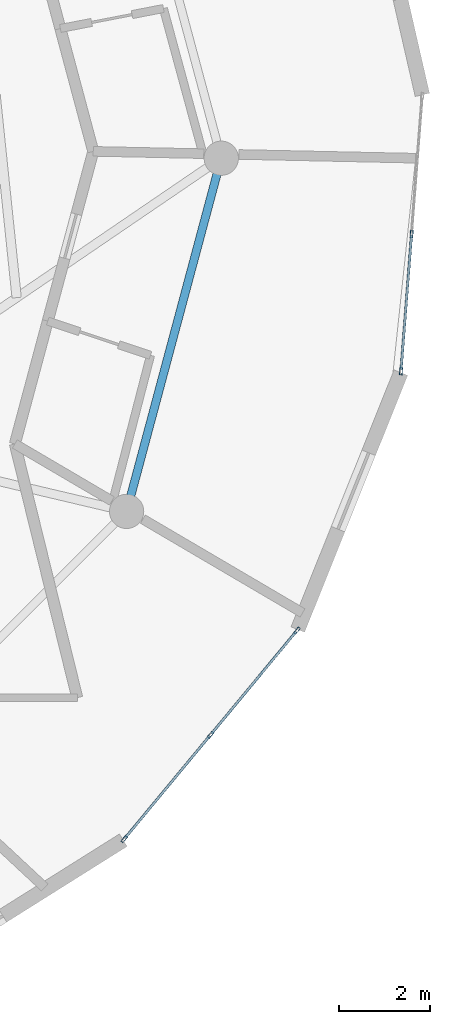
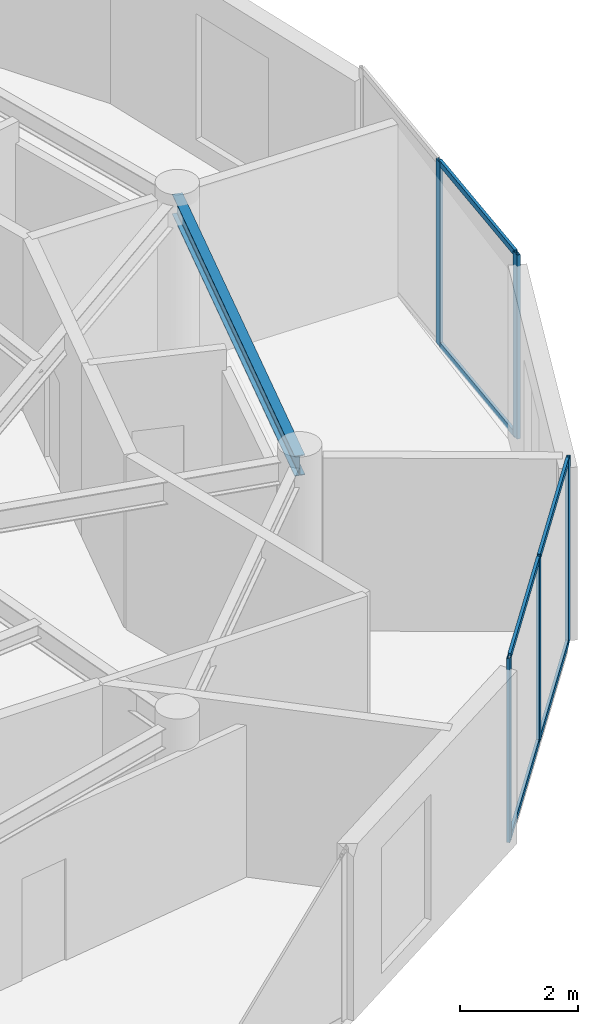
# One storey, part 8 of 19: 11 members, 1 beam, 2 elements without a shape of their own.
"""IFC4 building model written with IfcOpenShell, lengths in metres."""

import ifcopenshell
import ifcopenshell.guid

model = None  # the IFC model being written
_history = None  # IfcOwnerHistory: only IFC2X3 demands one
_inside = {}  # id of a spatial element -> (the spatial element, [elements in it])
_under = {}  # id of a project, library or spatial element -> (it, [spatial elements below it])
_declared = {}  # id of a project -> (the project, [libraries it declares])
_typed = {}  # id of a type object -> (the type object, [elements of that type])
_made_of = {}  # id of a material, layer set ... -> (it, [elements and type objects made of it])


def new_model(schema):
    """Start an empty IFC model of exactly this schema.

    Asked for "IFC4X3", IfcOpenShell would pick the latest addendum, in which some entities
    have other attributes; the version numbers below select the first issue.
    IFC2X3 requires an IfcOwnerHistory on every rooted entity: one is made here for all.
    """
    global model, _history
    if schema == "IFC4X3":
        model = ifcopenshell.file(schema_version=(4, 3, 0, 0))
    else:
        model = ifcopenshell.file(schema=schema)
    _inside.clear()
    _under.clear()
    _declared.clear()
    _typed.clear()
    _made_of.clear()
    _history = None
    if model.schema == "IFC2X3":
        org = make("IfcOrganization", Name="unknown")
        user = make(
            "IfcPersonAndOrganization",
            ThePerson=make("IfcPerson", FamilyName="unknown"),
            TheOrganization=org,
        )
        app = make(
            "IfcApplication",
            ApplicationDeveloper=org,
            Version="unknown",
            ApplicationFullName="unknown",
            ApplicationIdentifier="unknown",
        )
        _history = make(
            "IfcOwnerHistory",
            OwningUser=user,
            OwningApplication=app,
            ChangeAction="ADDED",
            CreationDate=0,
        )
    return model


def make(cls, **values):
    """One entity of the class cls with the attributes given. An attribute that is None is left unset."""
    return model.create_entity(
        cls, **{name: value for name, value in values.items() if value is not None}
    )


def rooted(cls, **values):
    """An entity with a GlobalId (a new one), such as an element, a storey or a relation."""
    return make(cls, GlobalId=ifcopenshell.guid.new(), OwnerHistory=_history, **values)


def si_unit(unit_type, name, prefix=None):
    """IfcSIUnit, for example si_unit("LENGTHUNIT", "METRE", prefix="MILLI")."""
    return make("IfcSIUnit", UnitType=unit_type, Prefix=prefix, Name=name)


def assignment(units):
    """IfcUnitAssignment: the units of a project."""
    return None if units is None else make("IfcUnitAssignment", Units=units)


def point(xyz):
    """IfcCartesianPoint."""
    return None if xyz is None else make("IfcCartesianPoint", Coordinates=xyz)


def direction(xyz):
    """IfcDirection."""
    return None if xyz is None else make("IfcDirection", DirectionRatios=xyz)


def frame(location, z_axis=None, x_axis=None):
    """IfcAxis2Placement3D, a coordinate frame: its origin and axes. An axis left out is left unset."""
    return make(
        "IfcAxis2Placement3D",
        Location=point(location),
        Axis=direction(z_axis),
        RefDirection=direction(x_axis),
    )


def frame_2d(location, x_axis=None):
    """IfcAxis2Placement2D, a coordinate frame in the plane: its origin and x axis."""
    return make(
        "IfcAxis2Placement2D", Location=point(location), RefDirection=direction(x_axis)
    )


def origin():
    """The frame at (0, 0, 0) with its axes left unset."""
    return frame((0.0, 0.0, 0.0))


def origin_2d():
    """The frame at (0, 0) in the plane with its x axis left unset."""
    return frame_2d((0.0, 0.0))


def place(relative_to, where):
    """IfcLocalPlacement: puts the frame where relative to a parent placement (None: the world)."""
    return make(
        "IfcLocalPlacement", PlacementRelTo=relative_to, RelativePlacement=where
    )


def context(
    kind, dimensions, precision=None, world=None, true_north=None, identifier=None
):
    """IfcGeometricRepresentationContext, for example the 3D "Model" context."""
    return make(
        "IfcGeometricRepresentationContext",
        ContextIdentifier=identifier,
        ContextType=kind,
        CoordinateSpaceDimension=dimensions,
        Precision=precision,
        WorldCoordinateSystem=world,
        TrueNorth=true_north,
    )


def subcontext(parent, identifier, kind, view, scale=None):
    """IfcGeometricRepresentationSubContext, for example "Body" below "Model"."""
    return make(
        "IfcGeometricRepresentationSubContext",
        ContextIdentifier=identifier,
        ContextType=kind,
        ParentContext=parent,
        TargetScale=scale,
        TargetView=view,
    )


def project(units=None, contexts=None):
    """IfcProject with its units and contexts."""
    return rooted(
        "IfcProject",
        Name="project",
        RepresentationContexts=contexts,
        UnitsInContext=assignment(units),
    )


def spatial(cls, under=None, at=None, **own):
    """A site, building, storey or space (cls), placed at a placement, below another one or the project."""
    s = rooted(cls, ObjectPlacement=at, **own)
    if under is not None:
        _under.setdefault(under.id(), (under, []))[1].append(s)
    return s


def profile(cls, at=None, kind="AREA", **sizes):
    """A parametric profile (cls). Its sizes go by their IFC names, for example OverallWidth=200.0."""
    return make(cls, ProfileType=kind, Position=at, **sizes)


def hollow_rectangle(**sizes):
    """IfcRectangleHollowProfileDef."""
    return profile("IfcRectangleHollowProfileDef", **sizes)


def i_section(**sizes):
    """IfcIShapeProfileDef."""
    return profile("IfcIShapeProfileDef", **sizes)


def extrude(swept, where, along, depth):
    """IfcExtrudedAreaSolid: the profile swept, set in the frame where, extruded along a direction by depth."""
    return make(
        "IfcExtrudedAreaSolid",
        SweptArea=swept,
        Position=where,
        ExtrudedDirection=direction(along),
        Depth=depth,
    )


def shape(context_of_items, identifier, shape_type, items):
    """IfcShapeRepresentation: the items that make up one representation, for example the "Body"."""
    return make(
        "IfcShapeRepresentation",
        ContextOfItems=context_of_items,
        RepresentationIdentifier=identifier,
        RepresentationType=shape_type,
        Items=items,
    )


def source(mapping_origin, context_of_items, identifier, shape_type, items):
    """IfcRepresentationMap: a shape defined once, which mapped items show again and again."""
    return make(
        "IfcRepresentationMap",
        MappingOrigin=mapping_origin,
        MappedRepresentation=shape(context_of_items, identifier, shape_type, items),
    )


def transform(
    local_origin,
    x_axis=None,
    y_axis=None,
    z_axis=None,
    scale=None,
    scale2=None,
    scale3=None,
    uniform=True,
):
    """IfcCartesianTransformationOperator3D, or its non-uniform kind. x_axis, y_axis, z_axis: its Axis1, 2, 3."""
    if uniform:
        return make(
            "IfcCartesianTransformationOperator3D",
            Axis1=direction(x_axis),
            Axis2=direction(y_axis),
            LocalOrigin=point(local_origin),
            Scale=scale,
            Axis3=direction(z_axis),
        )
    return make(
        "IfcCartesianTransformationOperator3DnonUniform",
        Axis1=direction(x_axis),
        Axis2=direction(y_axis),
        LocalOrigin=point(local_origin),
        Scale=scale,
        Axis3=direction(z_axis),
        Scale2=scale2,
        Scale3=scale3,
    )


def mapped(mapping_source, mapping_target):
    """IfcMappedItem: shows the shape of a source again, moved by a transform."""
    return make(
        "IfcMappedItem", MappingSource=mapping_source, MappingTarget=mapping_target
    )


def material(Name=None, Category=None):
    """IfcMaterial."""
    return make("IfcMaterial", Name=Name, Category=Category)


def layer(
    of_material, thickness, ventilated=None, Name=None, Category=None, Priority=None
):
    """IfcMaterialLayer: one layer of a wall or slab, of a material (None: an air gap)."""
    return make(
        "IfcMaterialLayer",
        Material=of_material,
        LayerThickness=thickness,
        IsVentilated=ventilated,
        Name=Name,
        Category=Category,
        Priority=Priority,
    )


def layer_set(layers, Name=None):
    """IfcMaterialLayerSet."""
    return make("IfcMaterialLayerSet", MaterialLayers=layers, LayerSetName=Name)


def material_profile(
    of_material, cross_section, Name=None, Category=None, Priority=None
):
    """IfcMaterialProfile: a cross section and its material."""
    return make(
        "IfcMaterialProfile",
        Name=Name,
        Material=of_material,
        Profile=cross_section,
        Priority=Priority,
        Category=Category,
    )


def profile_set(profiles, Name=None, composite=None):
    """IfcMaterialProfileSet."""
    return make(
        "IfcMaterialProfileSet",
        Name=Name,
        MaterialProfiles=profiles,
        CompositeProfile=composite,
    )


def made_of(thing, what):
    """Note that an element or type object is made of a material, layer set ...; save() writes the relation."""
    if what is not None:
        _made_of.setdefault(what.id(), (what, []))[1].append(thing)
    return thing


def type_object(cls, material=None, **own):
    """A type object (cls), such as IfcWallType, which elements share."""
    return made_of(rooted(cls, **own), material)


def element(
    cls,
    number,
    at=None,
    inside=None,
    cuts=None,
    type_object=None,
    material=None,
    context=None,
    identifier="Body",
    shape_type=None,
    held_by="IfcProductDefinitionShape",
    body=None,
    shapes=None,
    **own,
):
    """One element of the class cls, such as IfcWall. Its Tag is "e" and its number.

    at: its placement. inside: the storey or other place that contains it. cuts: it is an
    opening in that element (IfcRelVoidsElement). A single representation is given by context,
    identifier, shape_type and body (its items); several are given by shapes. held_by: the class
    of the entity that holds the representations. save() writes the other relations.
    """
    e = rooted(cls, Tag="e%d" % number, ObjectPlacement=at, **own)
    if body is not None:
        shapes = [shape(context, identifier, shape_type, body)]
    if shapes is not None:
        e.Representation = make(held_by, Representations=shapes)
    if inside is not None:
        _inside.setdefault(inside.id(), (inside, []))[1].append(e)
    if cuts is not None:
        rooted(
            "IfcRelVoidsElement", RelatingBuildingElement=cuts, RelatedOpeningElement=e
        )
    if type_object is not None:
        _typed.setdefault(type_object.id(), (type_object, []))[1].append(e)
    return made_of(e, material)


def aggregate(whole, parts):
    """IfcRelAggregates: a whole, such as a stair, and the parts it consists of."""
    return rooted("IfcRelAggregates", RelatingObject=whole, RelatedObjects=parts)


def save(model, path):
    """Write the relations noted so far, then the file.

    IfcRelAggregates (storeys below a building ...), IfcRelContainedInSpatialStructure (elements
    in a storey), IfcRelDefinesByType, IfcRelAssociatesMaterial and IfcRelDeclares: one each for
    every whole, place, type object, material and project.
    """
    for whole, parts in _under.values():
        aggregate(whole, parts)
    for where, things in _inside.values():
        rooted(
            "IfcRelContainedInSpatialStructure",
            RelatedElements=things,
            RelatingStructure=where,
        )
    for kind, things in _typed.values():
        rooted("IfcRelDefinesByType", RelatedObjects=things, RelatingType=kind)
    for what, things in _made_of.values():
        rooted("IfcRelAssociatesMaterial", RelatedObjects=things, RelatingMaterial=what)
    for by, libraries in _declared.values():
        rooted("IfcRelDeclares", RelatingContext=by, RelatedDefinitions=libraries)
    model.write(path)


model = new_model("IFC4")

# Units and contexts
model_context = context("Model", 3, precision=1e-05, world=origin(), true_north=direction((0.0, 1.0)))
body_context = subcontext(model_context, "Body", "Model", "MODEL_VIEW")
ifc_project = project(units=[si_unit("LENGTHUNIT", "METRE"), si_unit("AREAUNIT", "SQUARE_METRE"), si_unit("VOLUMEUNIT", "CUBIC_METRE"), si_unit("PLANEANGLEUNIT", "RADIAN"), si_unit("MASSUNIT", "GRAM", prefix="KILO")], contexts=[model_context])

# Site, building, storey
site_placement = place(None, origin())
site = spatial("IfcSite", under=ifc_project, at=site_placement, CompositionType="ELEMENT")
building_placement = place(site_placement, origin())
building = spatial("IfcBuilding", under=site, at=building_placement, Name="Solvirekh Grand Hotel", CompositionType="ELEMENT")
storey_placement = place(building_placement, frame((0.0, 0.0, 266.800048828125)))
storey = spatial("IfcBuildingStorey", under=building, at=storey_placement, Name="L69", CompositionType="ELEMENT", Elevation=266.800048828125)

# Beam
ifc_material_1 = material(Name="Steel S355", Category="steel")
ifc_material_profile_1 = material_profile(ifc_material_1, i_section(OverallWidth=0.180908203125, OverallDepth=0.4169921875, WebThickness=0.010009765625, FlangeThickness=0.01611328125, FilletRadius=0.011962890625, at=origin_2d()), Name="W410X85")
ifc_profile_set_1 = profile_set([ifc_material_profile_1], Name="Steel S355")
beam_type = type_object("IfcBeamType", Name="Spandrel_Ring_W410", PredefinedType="SPANDREL", material=ifc_profile_set_1)
beam_placement = place(storey_placement, frame((13.3798828125, -7.72509765625, 3.36083984375), z_axis=(0.258834757072, 0.965921616143, 0.0), x_axis=(-0.965921616143, 0.258834757072, 0.0)))
element("IfcBeam", 1, at=beam_placement, inside=storey, type_object=beam_type, Name="L69 perimeter spandrel beam 12", PredefinedType="SPANDREL", context=body_context, shape_type="SweptSolid", body=[
    extrude(i_section(OverallWidth=0.180908203125, OverallDepth=0.4169921875, WebThickness=0.010009765625, FlangeThickness=0.01611328125, FilletRadius=0.011962890625, at=origin_2d()), origin(), (0.0, 0.0, 1.0), 7.99755859375),
])

# Curtain wall, members
ifc_material_2 = material(Name="Anodized Bronze Aluminium 6063-T6", Category="aluminium")
ifc_layer = layer(ifc_material_2, 0.159912109375)
ifc_layer_set = layer_set([ifc_layer], Name="Anodized Bronze Aluminium 6063-T6")
curtain_wall_type = type_object("IfcCurtainWallType", Name="CW_Sys4_HighZoneFlushBronzeCW", PredefinedType="NOTDEFINED", material=ifc_layer_set)
curtain_wall_1_placement = place(storey_placement, origin())
curtain_wall_1 = element("IfcCurtainWall", 2, at=curtain_wall_1_placement, inside=storey, type_object=curtain_wall_type, Name="L69 unitised bronze-glass curtain wall CW-L69-C03", PredefinedType="NOTDEFINED")
ifc_material_profile_2 = material_profile(ifc_material_2, hollow_rectangle(XDim=0.06005859375, YDim=0.159912109375, WallThickness=0.0048828125, at=origin_2d()), Name="ALU RHS 160X60X5")
ifc_profile_set_2 = profile_set([ifc_material_profile_2], Name="Anodized Bronze Aluminium 6063-T6")
member_type_1 = type_object("IfcMemberType", Name="CWMullion_Sys4", PredefinedType="MULLION", material=ifc_profile_set_2)
shared_shape_1 = source(origin(), body_context, "Body", "SweptSolid", [
    extrude(hollow_rectangle(XDim=0.06005859375, YDim=0.159912109375, WallThickness=0.0048828125, at=origin_2d()), origin(), (0.0, 0.0, 1.0), 3.800048828125),
])
member_1_placement = place(storey_placement, frame((13.326171875, -14.894775390625, 0.0), z_axis=(0.0, 0.0, 1.0), x_axis=(-0.770094261283, 0.637930112739, 0.0)))
member_1 = element("IfcMember", 3, at=member_1_placement, type_object=member_type_1, Name="U04 mullion 1", PredefinedType="MULLION", context=body_context, shape_type="MappedRepresentation", body=[
    mapped(shared_shape_1, transform((0.0, 0.0, 0.0), x_axis=(1.0, 0.0, 0.0), y_axis=(0.0, 1.0, 0.0), z_axis=(0.0, 0.0, 1.0), scale=1.0)),
])
member_2_placement = place(storey_placement, frame((15.216064453125, -12.613525390625, 0.0), z_axis=(0.0, 0.0, 1.0), x_axis=(-0.770094261283, 0.637930112739, 0.0)))
member_2 = element("IfcMember", 4, at=member_2_placement, type_object=member_type_1, Name="U04 mullion 2", PredefinedType="MULLION", context=body_context, shape_type="MappedRepresentation", body=[
    mapped(shared_shape_1, transform((0.0, 0.0, 0.0), x_axis=(1.0, 0.0, 0.0), y_axis=(0.0, 1.0, 0.0), z_axis=(0.0, 0.0, 1.0), scale=1.0)),
])
member_3_placement = place(storey_placement, frame((17.10595703125, -10.33203125, 0.0), z_axis=(0.0, 0.0, 1.0), x_axis=(-0.770094261283, 0.637930112739, 0.0)))
member_3 = element("IfcMember", 5, at=member_3_placement, type_object=member_type_1, Name="U04 mullion 3", PredefinedType="MULLION", context=body_context, shape_type="MappedRepresentation", body=[
    mapped(shared_shape_1, transform((0.0, 0.0, 0.0), x_axis=(1.0, 0.0, 0.0), y_axis=(0.0, 1.0, 0.0), z_axis=(0.0, 0.0, 1.0), scale=1.0)),
])

curtain_wall_2_placement = place(storey_placement, origin())
curtain_wall_2 = element("IfcCurtainWall", 6, at=curtain_wall_2_placement, inside=storey, type_object=curtain_wall_type, Name="L69 unitised bronze-glass curtain wall CW-L69-C05", PredefinedType="NOTDEFINED")
member_4_placement = place(storey_placement, frame((19.38134765625, -4.6611328125, 0.0), z_axis=(0.0, 0.0, 1.0), x_axis=(-0.997022551644, 0.077110514934, 0.0)))
member_4 = element("IfcMember", 7, at=member_4_placement, type_object=member_type_1, Name="U04 mullion 1", PredefinedType="MULLION", context=body_context, shape_type="MappedRepresentation", body=[
    mapped(shared_shape_1, transform((0.0, 0.0, 0.0), x_axis=(1.0, 0.0, 0.0), y_axis=(0.0, 1.0, 0.0), z_axis=(0.0, 0.0, 1.0), scale=1.0)),
])
member_5_placement = place(storey_placement, frame((19.614013671875, -1.652587890625, 0.0), z_axis=(0.0, 0.0, 1.0), x_axis=(-0.997022551644, 0.077110514934, 0.0)))
member_5 = element("IfcMember", 8, at=member_5_placement, type_object=member_type_1, Name="U04 mullion 2", PredefinedType="MULLION", context=body_context, shape_type="MappedRepresentation", body=[
    mapped(shared_shape_1, transform((0.0, 0.0, 0.0), x_axis=(1.0, 0.0, 0.0), y_axis=(0.0, 1.0, 0.0), z_axis=(0.0, 0.0, 1.0), scale=1.0)),
])

# Member
ifc_material_profile_3 = material_profile(ifc_material_2, hollow_rectangle(XDim=0.054931640625, YDim=0.1201171875, WallThickness=0.00390625, at=origin_2d()), Name="ALU RHS 120X55X4")
ifc_profile_set_3 = profile_set([ifc_material_profile_3], Name="Anodized Bronze Aluminium 6063-T6")
member_type_2 = type_object("IfcMemberType", Name="CWTransom_Sys4", PredefinedType="USERDEFINED", material=ifc_profile_set_3)
shared_shape_2 = source(origin(), body_context, "Body", "SweptSolid", [
    extrude(hollow_rectangle(XDim=0.054931640625, YDim=0.1201171875, WallThickness=0.00390625, at=origin_2d()), origin(), (0.0, 0.0, 1.0), 2.90234375),
])
member_6_placement = place(storey_placement, frame((13.34521484375, -14.871826171875, 0.02734375), z_axis=(0.637939485719, 0.770086496804, 0.0), x_axis=(-0.770086496804, 0.637939485719, 0.0)))
member_6 = element("IfcMember", 9, at=member_6_placement, type_object=member_type_2, Name="U04 transom 1.1", ObjectType="TRANSOM", PredefinedType="USERDEFINED", context=body_context, shape_type="MappedRepresentation", body=[
    mapped(shared_shape_2, transform((0.0, 0.0, 0.0), x_axis=(1.0, 0.0, 0.0), y_axis=(0.0, 1.0, 0.0), z_axis=(0.0, 0.0, 1.0), scale=1.0)),
])

member_7_placement = place(storey_placement, frame((13.34521484375, -14.871826171875, 3.7724609375), z_axis=(0.637939485719, 0.770086496804, 0.0), x_axis=(-0.770086496804, 0.637939485719, 0.0)))
member_7 = element("IfcMember", 10, at=member_7_placement, type_object=member_type_2, Name="U04 transom 1.2", ObjectType="TRANSOM", PredefinedType="USERDEFINED", context=body_context, shape_type="MappedRepresentation", body=[
    mapped(shared_shape_2, transform((0.0, 0.0, 0.0), x_axis=(1.0, 0.0, 0.0), y_axis=(0.0, 1.0, 0.0), z_axis=(0.0, 0.0, 1.0), scale=1.0)),
])

member_8_placement = place(storey_placement, frame((15.235107421875, -12.59033203125, 0.02734375), z_axis=(0.637939485719, 0.770086496804, 0.0), x_axis=(-0.770086496804, 0.637939485719, 0.0)))
member_8 = element("IfcMember", 11, at=member_8_placement, type_object=member_type_2, Name="U04 transom 2.1", ObjectType="TRANSOM", PredefinedType="USERDEFINED", context=body_context, shape_type="MappedRepresentation", body=[
    mapped(shared_shape_2, transform((0.0, 0.0, 0.0), x_axis=(1.0, 0.0, 0.0), y_axis=(0.0, 1.0, 0.0), z_axis=(0.0, 0.0, 1.0), scale=1.0)),
])

member_9_placement = place(storey_placement, frame((15.235107421875, -12.59033203125, 3.7724609375), z_axis=(0.637939485719, 0.770086496804, 0.0), x_axis=(-0.770086496804, 0.637939485719, 0.0)))
member_9 = element("IfcMember", 12, at=member_9_placement, type_object=member_type_2, Name="U04 transom 2.2", ObjectType="TRANSOM", PredefinedType="USERDEFINED", context=body_context, shape_type="MappedRepresentation", body=[
    mapped(shared_shape_2, transform((0.0, 0.0, 0.0), x_axis=(1.0, 0.0, 0.0), y_axis=(0.0, 1.0, 0.0), z_axis=(0.0, 0.0, 1.0), scale=1.0)),
])

aggregate(curtain_wall_1, [member_1, member_2, member_3, member_6, member_7, member_8, member_9])

shared_shape_3 = source(origin(), body_context, "Body", "SweptSolid", [
    extrude(hollow_rectangle(XDim=0.054931640625, YDim=0.1201171875, WallThickness=0.00390625, at=origin_2d()), origin(), (0.0, 0.0, 1.0), 2.95751953125),
])
member_10_placement = place(storey_placement, frame((19.383544921875, -4.631103515625, 0.02734375), z_axis=(0.07710049569, 0.99702332649, 0.0), x_axis=(-0.99702332649, 0.07710049569, 0.0)))
member_10 = element("IfcMember", 13, at=member_10_placement, type_object=member_type_2, Name="U04 transom 1.1", ObjectType="TRANSOM", PredefinedType="USERDEFINED", context=body_context, shape_type="MappedRepresentation", body=[
    mapped(shared_shape_3, transform((0.0, 0.0, 0.0), x_axis=(1.0, 0.0, 0.0), y_axis=(0.0, 1.0, 0.0), z_axis=(0.0, 0.0, 1.0), scale=1.0)),
])

member_11_placement = place(storey_placement, frame((19.383544921875, -4.631103515625, 3.7724609375), z_axis=(0.07710049569, 0.99702332649, 0.0), x_axis=(-0.99702332649, 0.07710049569, 0.0)))
member_11 = element("IfcMember", 14, at=member_11_placement, type_object=member_type_2, Name="U04 transom 1.2", ObjectType="TRANSOM", PredefinedType="USERDEFINED", context=body_context, shape_type="MappedRepresentation", body=[
    mapped(shared_shape_3, transform((0.0, 0.0, 0.0), x_axis=(1.0, 0.0, 0.0), y_axis=(0.0, 1.0, 0.0), z_axis=(0.0, 0.0, 1.0), scale=1.0)),
])

aggregate(curtain_wall_2, [member_4, member_5, member_10, member_11])

save(model, "model.ifc")
